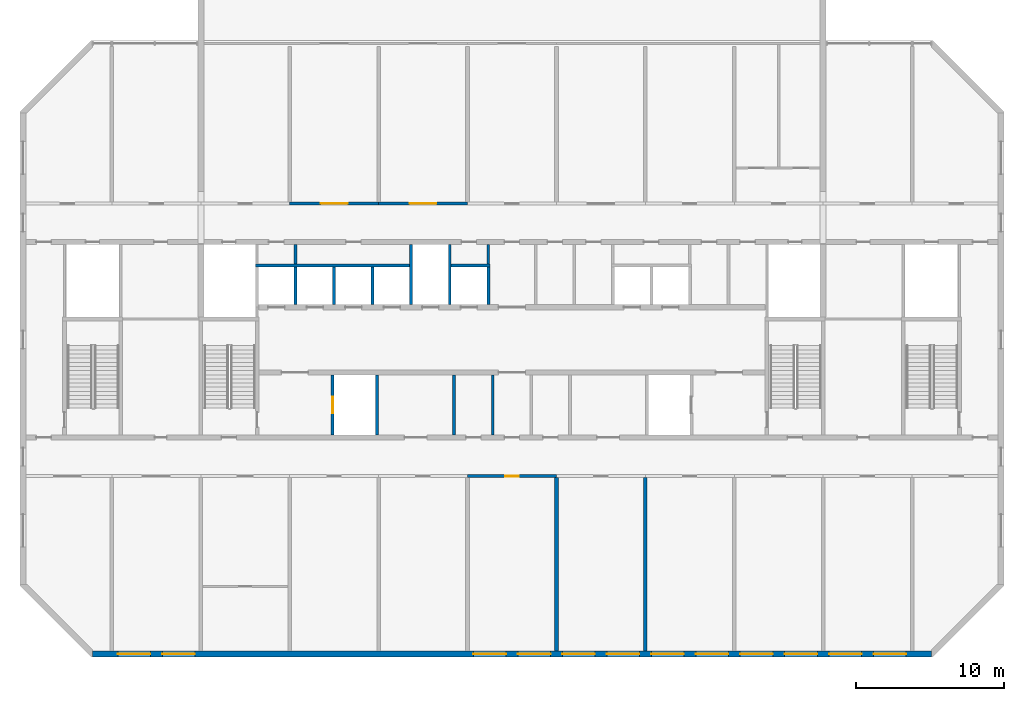
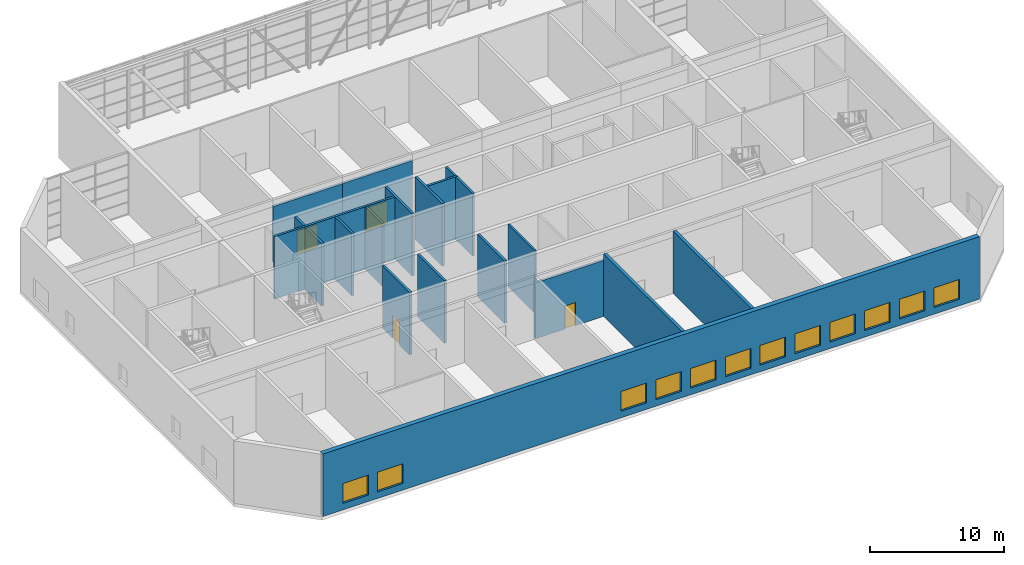
# One storey, part 11 of 17: 20 walls, 12 windows, 4 doors, 16 openings.
"""IFC4 building model written with IfcOpenShell, lengths in metres."""

from ifc_helpers import new_model, si_unit, direction, frame, frame_2d, origin, place, context, subcontext, project, spatial, rectangle, extrude, material, layer, layer_set, type_object, element, fill, save


model = new_model("IFC4")

# Units and contexts
model_context = context("Model", 3, precision=1e-05, world=origin(), true_north=direction((0.0, 1.0)))
body_context = subcontext(model_context, "Body", "Model", "MODEL_VIEW")
ifc_project = project(units=[si_unit("LENGTHUNIT", "METRE"), si_unit("AREAUNIT", "SQUARE_METRE"), si_unit("VOLUMEUNIT", "CUBIC_METRE"), si_unit("PLANEANGLEUNIT", "RADIAN"), si_unit("MASSUNIT", "GRAM", prefix="KILO")], contexts=[model_context])

# Site, building, storey
site_placement = place(None, origin())
site = spatial("IfcSite", under=ifc_project, at=site_placement, CompositionType="ELEMENT")
building_placement = place(site_placement, origin())
building = spatial("IfcBuilding", under=site, at=building_placement, Name="Poui Terraces", CompositionType="ELEMENT")
storey_placement = place(building_placement, frame((0.0, 0.0, 261.0)))
storey = spatial("IfcBuildingStorey", under=building, at=storey_placement, Name="L73", CompositionType="ELEMENT", Elevation=261.0)

# Walls
ifc_material_1 = material(Name="Fire-rated plasterboard wall")
ifc_layer_1 = layer(ifc_material_1, 0.14990234375)
ifc_layer_set_1 = layer_set([ifc_layer_1], Name="Fire-rated plasterboard wall")
wall_type_1 = type_object("IfcWallType", Name="CORRIDOR WALL 150", PredefinedType="PARTITIONING", material=ifc_layer_set_1)
wall_1_placement = place(storey_placement, frame((49.39990234375, 26.300048828125, 0.0), z_axis=(0.0, 0.0, 1.0), x_axis=(0.0, 1.0, 0.0)))
element("IfcWall", 1, at=wall_1_placement, inside=storey, type_object=wall_type_1, Name="CORRIDOR WALL 150", PredefinedType="PARTITIONING", context=body_context, shape_type="SweptSolid", body=[
    extrude(rectangle(XDim=1.31494140625, YDim=0.14990234375, at=frame_2d((0.657470703125, 0.0))), origin(), (0.0, 0.0, 1.0), 5.699951171875),
])
wall_2_placement = place(storey_placement, frame((49.699951171875, 14.784912109375, 0.0), z_axis=(0.0, 0.0, 1.0), x_axis=(0.0, 1.0, 0.0)))
element("IfcWall", 2, at=wall_2_placement, inside=storey, type_object=wall_type_1, Name="CORRIDOR WALL 150", PredefinedType="PARTITIONING", context=body_context, shape_type="SweptSolid", body=[
    extrude(rectangle(XDim=4.030029296875, YDim=0.14990234375, at=frame_2d((2.01513671875, 0.0))), origin(), (0.0, 0.0, 1.0), 5.699951171875),
])

# Wall, opening, door
ifc_material_2 = material(Name="Concrete 50 MPa", Category="concrete")
ifc_layer_2 = layer(ifc_material_2, 0.199951171875)
ifc_layer_set_2 = layer_set([ifc_layer_2], Name="Concrete 50 MPa")
wall_type_2 = type_object("IfcWallType", Name="CORRIDOR WALL 200 50MPa", PredefinedType="SHEAR", material=ifc_layer_set_2)
wall_3_placement = place(storey_placement, frame((48.0, 12.0, 0.0), z_axis=(0.0, 0.0, 1.0), x_axis=(1.0, 0.0, 0.0)))
wall_3 = element("IfcWall", 3, at=wall_3_placement, inside=storey, type_object=wall_type_2, Name="CORRIDOR WALL LINE B BAY 6", PredefinedType="SHEAR", context=body_context, shape_type="SweptSolid", body=[
    extrude(rectangle(XDim=6.0, YDim=0.199951171875, at=frame_2d((3.0, 0.0))), origin(), (0.0, 0.0, 1.0), 5.10009765625),
])
opening_1_placement = place(wall_3_placement, frame((2.550048828125, 0.0, 0.0)))
opening_1 = element("IfcOpeningElement", 4, at=opening_1_placement, cuts=wall_3, Name="Opening D90", PredefinedType="OPENING", context=body_context, shape_type="SweptSolid", body=[
    extrude(rectangle(XDim=0.89990234375, YDim=2.10009765625, at=frame_2d((0.449951171875, 1.050048828125))), frame((0.0, 0.10986328125, 0.0), z_axis=(0.0, -1.0, 0.0), x_axis=(1.0, 0.0, 0.0)), (0.0, 0.0, 1.0), 0.219970703125),
])
ifc_material_3 = material(Name="Solid core timber door", Category="wood")
door_type_1 = type_object("IfcDoorType", Name="INTERNAL DOOR 900 X 2100", OperationType="NOTDEFINED", PredefinedType="DOOR", material=ifc_material_3)
door_1_placement = place(opening_1_placement, origin())
door_1 = element("IfcDoor", 5, at=door_1_placement, inside=storey, type_object=door_type_1, Name="INTERNAL DOOR 039", OperationType="SINGLE_SWING_LEFT", OverallHeight=2.10009765625, OverallWidth=0.89990234375, PredefinedType="DOOR", context=body_context, shape_type="SweptSolid", body=[
    extrude(rectangle(XDim=0.89990234375, YDim=2.10009765625, at=frame_2d((0.449951171875, 1.050048828125))), frame((0.0, 0.02490234375, 0.0), z_axis=(0.0, -1.0, 0.0), x_axis=(1.0, 0.0, 0.0)), (0.0, 0.0, 1.0), 0.050048828125),
])
fill(opening_1, door_1)

wall_4_placement = place(storey_placement, frame((36.0, 30.39990234375, 0.0), z_axis=(0.0, 0.0, 1.0), x_axis=(1.0, 0.0, 0.0)))
wall_4 = element("IfcWall", 6, at=wall_4_placement, inside=storey, type_object=wall_type_2, Name="CORRIDOR WALL LINE E BAY 4", PredefinedType="SHEAR", context=body_context, shape_type="SweptSolid", body=[
    extrude(rectangle(XDim=6.0, YDim=0.199951171875, at=frame_2d((3.0, 0.0))), origin(), (0.0, 0.0, 1.0), 5.10009765625),
])
opening_2_placement = place(wall_4_placement, frame((2.10009765625, 0.0, 0.0)))
opening_2 = element("IfcOpeningElement", 7, at=opening_2_placement, cuts=wall_4, Name="Opening DD180", PredefinedType="OPENING", context=body_context, shape_type="SweptSolid", body=[
    extrude(rectangle(XDim=1.800048828125, YDim=2.10009765625, at=frame_2d((0.89990234375, 1.050048828125))), frame((0.0, 0.10986328125, 0.0), z_axis=(0.0, -1.0, 0.0), x_axis=(1.0, 0.0, 0.0)), (0.0, 0.0, 1.0), 0.219970703125),
])
ifc_material_4 = material(Name="Steel fire door", Category="steel")
door_type_2 = type_object("IfcDoorType", Name="DOUBLE INTERNAL DOOR 1800 X 2100", OperationType="DOUBLE_DOOR_SINGLE_SWING", PredefinedType="DOOR", material=ifc_material_4)
door_2_placement = place(opening_2_placement, frame((1.800048828125, 0.0, 0.0), z_axis=(0.0, 0.0, 1.0), x_axis=(-1.0, 0.0, 0.0)))
door_2 = element("IfcDoor", 8, at=door_2_placement, inside=storey, type_object=door_type_2, Name="DOUBLE INTERNAL DOOR 009", OperationType="DOUBLE_DOOR_SINGLE_SWING", OverallHeight=2.10009765625, OverallWidth=1.800048828125, PredefinedType="DOOR", context=body_context, shape_type="SweptSolid", body=[
    extrude(rectangle(XDim=1.800048828125, YDim=2.10009765625, at=frame_2d((0.89990234375, 1.050048828125))), frame((0.0, 0.02490234375, 0.0), z_axis=(0.0, -1.0, 0.0), x_axis=(1.0, 0.0, 0.0)), (0.0, 0.0, 1.0), 0.050048828125),
])
fill(opening_2, door_2)

wall_5_placement = place(storey_placement, frame((42.0, 30.39990234375, 0.0), z_axis=(0.0, 0.0, 1.0), x_axis=(1.0, 0.0, 0.0)))
wall_5 = element("IfcWall", 9, at=wall_5_placement, inside=storey, type_object=wall_type_2, Name="CORRIDOR WALL LINE E BAY 5", PredefinedType="SHEAR", context=body_context, shape_type="SweptSolid", body=[
    extrude(rectangle(XDim=6.0, YDim=0.199951171875, at=frame_2d((3.0, 0.0))), origin(), (0.0, 0.0, 1.0), 5.10009765625),
])
opening_3_placement = place(wall_5_placement, frame((2.10009765625, 0.0, 0.0)))
opening_3 = element("IfcOpeningElement", 10, at=opening_3_placement, cuts=wall_5, Name="Opening DD180", PredefinedType="OPENING", context=body_context, shape_type="SweptSolid", body=[
    extrude(rectangle(XDim=1.800048828125, YDim=2.10009765625, at=frame_2d((0.89990234375, 1.050048828125))), frame((0.0, 0.10986328125, 0.0), z_axis=(0.0, -1.0, 0.0), x_axis=(1.0, 0.0, 0.0)), (0.0, 0.0, 1.0), 0.219970703125),
])
door_3_placement = place(opening_3_placement, frame((1.800048828125, 0.0, 0.0), z_axis=(0.0, 0.0, 1.0), x_axis=(-1.0, 0.0, 0.0)))
door_3 = element("IfcDoor", 11, at=door_3_placement, inside=storey, type_object=door_type_2, Name="DOUBLE INTERNAL DOOR 011", OperationType="DOUBLE_DOOR_SINGLE_SWING", OverallHeight=2.10009765625, OverallWidth=1.800048828125, PredefinedType="DOOR", context=body_context, shape_type="SweptSolid", body=[
    extrude(rectangle(XDim=1.800048828125, YDim=2.10009765625, at=frame_2d((0.89990234375, 1.050048828125))), frame((0.0, 0.02490234375, 0.0), z_axis=(0.0, -1.0, 0.0), x_axis=(1.0, 0.0, 0.0)), (0.0, 0.0, 1.0), 0.050048828125),
])
fill(opening_3, door_3)

# Walls
ifc_layer_3 = layer(ifc_material_2, 0.25)
ifc_layer_set_3 = layer_set([ifc_layer_3], Name="Concrete 50 MPa")
wall_type_3 = type_object("IfcWallType", Name="CROSS WALL 250 50MPa", PredefinedType="SHEAR", material=ifc_layer_set_3)
for number, where, z_axis, x_axis, name in (
    (12, (54.0, 0.199951171875, 0.0), (0.0, 0.0, 1.0), (0.0, 1.0, 0.0), "CROSS WALL LINE 10 SOUTH"),
    (13, (60.0, 0.199951171875, 0.0), (0.0, 0.0, 1.0), (0.0, 1.0, 0.0), "CROSS WALL LINE 11 SOUTH"),
):
    element("IfcWall", number, at=place(storey_placement, frame(where, z_axis=z_axis, x_axis=x_axis)), inside=storey, type_object=wall_type_3, Name=name, PredefinedType="SHEAR", context=body_context, shape_type="SweptSolid", body=[
        extrude(rectangle(XDim=11.699951171875, YDim=0.25, at=frame_2d((5.85009765625, 0.0))), origin(), (0.0, 0.0, 1.0), 5.699951171875),
    ])

# Wall, openings, windows
ifc_material_5 = material(Name="Precast concrete 40 MPa", Category="concrete")
ifc_layer_4 = layer(ifc_material_5, 0.39990234375)
ifc_layer_set_4 = layer_set([ifc_layer_4], Name="Precast concrete 40 MPa")
wall_type_4 = type_object("IfcWallType", Name="EXTERNAL WALL 400", PredefinedType="STANDARD", material=ifc_layer_set_4)
wall_6_placement = place(storey_placement, frame((22.682861328125, 0.0, 0.0), z_axis=(0.0, 0.0, 1.0), x_axis=(1.0, 0.0, 0.0)))
wall_6 = element("IfcWall", 14, at=wall_6_placement, inside=storey, type_object=wall_type_4, Name="EXTERNAL WALL S", PredefinedType="STANDARD", context=body_context, shape_type="SweptSolid", body=[
    extrude(rectangle(XDim=56.63427734375, YDim=0.39990234375, at=frame_2d((28.317138671875, 0.0))), origin(), (0.0, 0.0, 1.0), 5.699951171875),
])
opening_4_placement = place(wall_6_placement, frame((1.71728515625, 0.0, 0.60009765625)))
opening_4 = element("IfcOpeningElement", 15, at=opening_4_placement, cuts=wall_6, Name="Opening W3", PredefinedType="OPENING", context=body_context, shape_type="SweptSolid", body=[
    extrude(rectangle(XDim=2.199951171875, YDim=1.800048828125, at=frame_2d((1.10009765625, 0.89990234375))), frame((0.0, 0.2099609375, 0.0), z_axis=(0.0, -1.0, 0.0), x_axis=(1.0, 0.0, 0.0)), (0.0, 0.0, 1.0), 0.419921875),
])
opening_5_placement = place(wall_6_placement, frame((4.71728515625, 0.0, 0.60009765625)))
opening_5 = element("IfcOpeningElement", 16, at=opening_5_placement, cuts=wall_6, Name="Opening W3", PredefinedType="OPENING", context=body_context, shape_type="SweptSolid", body=[
    extrude(rectangle(XDim=2.199951171875, YDim=1.800048828125, at=frame_2d((1.10009765625, 0.89990234375))), frame((0.0, 0.2099609375, 0.0), z_axis=(0.0, -1.0, 0.0), x_axis=(1.0, 0.0, 0.0)), (0.0, 0.0, 1.0), 0.419921875),
])
opening_6_placement = place(wall_6_placement, frame((25.71728515625, 0.0, 0.60009765625)))
opening_6 = element("IfcOpeningElement", 17, at=opening_6_placement, cuts=wall_6, Name="Opening W3", PredefinedType="OPENING", context=body_context, shape_type="SweptSolid", body=[
    extrude(rectangle(XDim=2.199951171875, YDim=1.800048828125, at=frame_2d((1.10009765625, 0.89990234375))), frame((0.0, 0.2099609375, 0.0), z_axis=(0.0, -1.0, 0.0), x_axis=(1.0, 0.0, 0.0)), (0.0, 0.0, 1.0), 0.419921875),
])
opening_7_placement = place(wall_6_placement, frame((28.71728515625, 0.0, 0.60009765625)))
opening_7 = element("IfcOpeningElement", 18, at=opening_7_placement, cuts=wall_6, Name="Opening W3", PredefinedType="OPENING", context=body_context, shape_type="SweptSolid", body=[
    extrude(rectangle(XDim=2.199951171875, YDim=1.800048828125, at=frame_2d((1.10009765625, 0.89990234375))), frame((0.0, 0.2099609375, 0.0), z_axis=(0.0, -1.0, 0.0), x_axis=(1.0, 0.0, 0.0)), (0.0, 0.0, 1.0), 0.419921875),
])
opening_8_placement = place(wall_6_placement, frame((31.71728515625, 0.0, 0.60009765625)))
opening_8 = element("IfcOpeningElement", 19, at=opening_8_placement, cuts=wall_6, Name="Opening W3", PredefinedType="OPENING", context=body_context, shape_type="SweptSolid", body=[
    extrude(rectangle(XDim=2.199951171875, YDim=1.800048828125, at=frame_2d((1.10009765625, 0.89990234375))), frame((0.0, 0.2099609375, 0.0), z_axis=(0.0, -1.0, 0.0), x_axis=(1.0, 0.0, 0.0)), (0.0, 0.0, 1.0), 0.419921875),
])
opening_9_placement = place(wall_6_placement, frame((34.71728515625, 0.0, 0.60009765625)))
opening_9 = element("IfcOpeningElement", 20, at=opening_9_placement, cuts=wall_6, Name="Opening W3", PredefinedType="OPENING", context=body_context, shape_type="SweptSolid", body=[
    extrude(rectangle(XDim=2.199951171875, YDim=1.800048828125, at=frame_2d((1.10009765625, 0.89990234375))), frame((0.0, 0.2099609375, 0.0), z_axis=(0.0, -1.0, 0.0), x_axis=(1.0, 0.0, 0.0)), (0.0, 0.0, 1.0), 0.419921875),
])
opening_10_placement = place(wall_6_placement, frame((37.71728515625, 0.0, 0.60009765625)))
opening_10 = element("IfcOpeningElement", 21, at=opening_10_placement, cuts=wall_6, Name="Opening W3", PredefinedType="OPENING", context=body_context, shape_type="SweptSolid", body=[
    extrude(rectangle(XDim=2.199951171875, YDim=1.800048828125, at=frame_2d((1.10009765625, 0.89990234375))), frame((0.0, 0.2099609375, 0.0), z_axis=(0.0, -1.0, 0.0), x_axis=(1.0, 0.0, 0.0)), (0.0, 0.0, 1.0), 0.419921875),
])
opening_11_placement = place(wall_6_placement, frame((40.71728515625, 0.0, 0.60009765625)))
opening_11 = element("IfcOpeningElement", 22, at=opening_11_placement, cuts=wall_6, Name="Opening W3", PredefinedType="OPENING", context=body_context, shape_type="SweptSolid", body=[
    extrude(rectangle(XDim=2.199951171875, YDim=1.800048828125, at=frame_2d((1.10009765625, 0.89990234375))), frame((0.0, 0.2099609375, 0.0), z_axis=(0.0, -1.0, 0.0), x_axis=(1.0, 0.0, 0.0)), (0.0, 0.0, 1.0), 0.419921875),
])
opening_12_placement = place(wall_6_placement, frame((43.71728515625, 0.0, 0.60009765625)))
opening_12 = element("IfcOpeningElement", 23, at=opening_12_placement, cuts=wall_6, Name="Opening W3", PredefinedType="OPENING", context=body_context, shape_type="SweptSolid", body=[
    extrude(rectangle(XDim=2.199951171875, YDim=1.800048828125, at=frame_2d((1.10009765625, 0.89990234375))), frame((0.0, 0.2099609375, 0.0), z_axis=(0.0, -1.0, 0.0), x_axis=(1.0, 0.0, 0.0)), (0.0, 0.0, 1.0), 0.419921875),
])
opening_13_placement = place(wall_6_placement, frame((46.71728515625, 0.0, 0.60009765625)))
opening_13 = element("IfcOpeningElement", 24, at=opening_13_placement, cuts=wall_6, Name="Opening W3", PredefinedType="OPENING", context=body_context, shape_type="SweptSolid", body=[
    extrude(rectangle(XDim=2.199951171875, YDim=1.800048828125, at=frame_2d((1.10009765625, 0.89990234375))), frame((0.0, 0.2099609375, 0.0), z_axis=(0.0, -1.0, 0.0), x_axis=(1.0, 0.0, 0.0)), (0.0, 0.0, 1.0), 0.419921875),
])
opening_14_placement = place(wall_6_placement, frame((49.71728515625, 0.0, 0.60009765625)))
opening_14 = element("IfcOpeningElement", 25, at=opening_14_placement, cuts=wall_6, Name="Opening W3", PredefinedType="OPENING", context=body_context, shape_type="SweptSolid", body=[
    extrude(rectangle(XDim=2.199951171875, YDim=1.800048828125, at=frame_2d((1.10009765625, 0.89990234375))), frame((0.0, 0.2099609375, 0.0), z_axis=(0.0, -1.0, 0.0), x_axis=(1.0, 0.0, 0.0)), (0.0, 0.0, 1.0), 0.419921875),
])
opening_15_placement = place(wall_6_placement, frame((52.71728515625, 0.0, 0.60009765625)))
opening_15 = element("IfcOpeningElement", 26, at=opening_15_placement, cuts=wall_6, Name="Opening W3", PredefinedType="OPENING", context=body_context, shape_type="SweptSolid", body=[
    extrude(rectangle(XDim=2.199951171875, YDim=1.800048828125, at=frame_2d((1.10009765625, 0.89990234375))), frame((0.0, 0.2099609375, 0.0), z_axis=(0.0, -1.0, 0.0), x_axis=(1.0, 0.0, 0.0)), (0.0, 0.0, 1.0), 0.419921875),
])
ifc_material_6 = material(Name="Clear glass in aluminium frame", Category="aluminium")
window_type = type_object("IfcWindowType", Name="WINDOW 2200X1800", PartitioningType="DOUBLE_PANEL_HORIZONTAL", PredefinedType="WINDOW", material=ifc_material_6)
window_1_placement = place(opening_4_placement, origin())
window_1 = element("IfcWindow", 27, at=window_1_placement, inside=storey, type_object=window_type, Name="W3 WINDOW", OverallHeight=1.800048828125, OverallWidth=2.199951171875, PartitioningType="DOUBLE_PANEL_HORIZONTAL", PredefinedType="WINDOW", context=body_context, shape_type="SweptSolid", body=[
    extrude(rectangle(XDim=2.199951171875, YDim=1.800048828125, at=frame_2d((1.10009765625, 0.89990234375))), frame((0.0, 0.030029296875, 0.0), z_axis=(0.0, -1.0, 0.0), x_axis=(1.0, 0.0, 0.0)), (0.0, 0.0, 1.0), 0.06005859375),
])
fill(opening_4, window_1)
window_2_placement = place(opening_5_placement, origin())
window_2 = element("IfcWindow", 28, at=window_2_placement, inside=storey, type_object=window_type, Name="W3 WINDOW", OverallHeight=1.800048828125, OverallWidth=2.199951171875, PartitioningType="DOUBLE_PANEL_HORIZONTAL", PredefinedType="WINDOW", context=body_context, shape_type="SweptSolid", body=[
    extrude(rectangle(XDim=2.199951171875, YDim=1.800048828125, at=frame_2d((1.10009765625, 0.89990234375))), frame((0.0, 0.030029296875, 0.0), z_axis=(0.0, -1.0, 0.0), x_axis=(1.0, 0.0, 0.0)), (0.0, 0.0, 1.0), 0.06005859375),
])
fill(opening_5, window_2)
window_3_placement = place(opening_6_placement, origin())
window_3 = element("IfcWindow", 29, at=window_3_placement, inside=storey, type_object=window_type, Name="W3 WINDOW", OverallHeight=1.800048828125, OverallWidth=2.199951171875, PartitioningType="DOUBLE_PANEL_HORIZONTAL", PredefinedType="WINDOW", context=body_context, shape_type="SweptSolid", body=[
    extrude(rectangle(XDim=2.199951171875, YDim=1.800048828125, at=frame_2d((1.10009765625, 0.89990234375))), frame((0.0, 0.030029296875, 0.0), z_axis=(0.0, -1.0, 0.0), x_axis=(1.0, 0.0, 0.0)), (0.0, 0.0, 1.0), 0.06005859375),
])
fill(opening_6, window_3)
window_4_placement = place(opening_7_placement, origin())
window_4 = element("IfcWindow", 30, at=window_4_placement, inside=storey, type_object=window_type, Name="W3 WINDOW", OverallHeight=1.800048828125, OverallWidth=2.199951171875, PartitioningType="DOUBLE_PANEL_HORIZONTAL", PredefinedType="WINDOW", context=body_context, shape_type="SweptSolid", body=[
    extrude(rectangle(XDim=2.199951171875, YDim=1.800048828125, at=frame_2d((1.10009765625, 0.89990234375))), frame((0.0, 0.030029296875, 0.0), z_axis=(0.0, -1.0, 0.0), x_axis=(1.0, 0.0, 0.0)), (0.0, 0.0, 1.0), 0.06005859375),
])
fill(opening_7, window_4)
window_5_placement = place(opening_8_placement, origin())
window_5 = element("IfcWindow", 31, at=window_5_placement, inside=storey, type_object=window_type, Name="W3 WINDOW", OverallHeight=1.800048828125, OverallWidth=2.199951171875, PartitioningType="DOUBLE_PANEL_HORIZONTAL", PredefinedType="WINDOW", context=body_context, shape_type="SweptSolid", body=[
    extrude(rectangle(XDim=2.199951171875, YDim=1.800048828125, at=frame_2d((1.10009765625, 0.89990234375))), frame((0.0, 0.030029296875, 0.0), z_axis=(0.0, -1.0, 0.0), x_axis=(1.0, 0.0, 0.0)), (0.0, 0.0, 1.0), 0.06005859375),
])
fill(opening_8, window_5)
window_6_placement = place(opening_9_placement, origin())
window_6 = element("IfcWindow", 32, at=window_6_placement, inside=storey, type_object=window_type, Name="W3 WINDOW", OverallHeight=1.800048828125, OverallWidth=2.199951171875, PartitioningType="DOUBLE_PANEL_HORIZONTAL", PredefinedType="WINDOW", context=body_context, shape_type="SweptSolid", body=[
    extrude(rectangle(XDim=2.199951171875, YDim=1.800048828125, at=frame_2d((1.10009765625, 0.89990234375))), frame((0.0, 0.030029296875, 0.0), z_axis=(0.0, -1.0, 0.0), x_axis=(1.0, 0.0, 0.0)), (0.0, 0.0, 1.0), 0.06005859375),
])
fill(opening_9, window_6)
window_7_placement = place(opening_10_placement, origin())
window_7 = element("IfcWindow", 33, at=window_7_placement, inside=storey, type_object=window_type, Name="W3 WINDOW", OverallHeight=1.800048828125, OverallWidth=2.199951171875, PartitioningType="DOUBLE_PANEL_HORIZONTAL", PredefinedType="WINDOW", context=body_context, shape_type="SweptSolid", body=[
    extrude(rectangle(XDim=2.199951171875, YDim=1.800048828125, at=frame_2d((1.10009765625, 0.89990234375))), frame((0.0, 0.030029296875, 0.0), z_axis=(0.0, -1.0, 0.0), x_axis=(1.0, 0.0, 0.0)), (0.0, 0.0, 1.0), 0.06005859375),
])
fill(opening_10, window_7)
window_8_placement = place(opening_11_placement, origin())
window_8 = element("IfcWindow", 34, at=window_8_placement, inside=storey, type_object=window_type, Name="W3 WINDOW", OverallHeight=1.800048828125, OverallWidth=2.199951171875, PartitioningType="DOUBLE_PANEL_HORIZONTAL", PredefinedType="WINDOW", context=body_context, shape_type="SweptSolid", body=[
    extrude(rectangle(XDim=2.199951171875, YDim=1.800048828125, at=frame_2d((1.10009765625, 0.89990234375))), frame((0.0, 0.030029296875, 0.0), z_axis=(0.0, -1.0, 0.0), x_axis=(1.0, 0.0, 0.0)), (0.0, 0.0, 1.0), 0.06005859375),
])
fill(opening_11, window_8)
window_9_placement = place(opening_12_placement, origin())
window_9 = element("IfcWindow", 35, at=window_9_placement, inside=storey, type_object=window_type, Name="W3 WINDOW", OverallHeight=1.800048828125, OverallWidth=2.199951171875, PartitioningType="DOUBLE_PANEL_HORIZONTAL", PredefinedType="WINDOW", context=body_context, shape_type="SweptSolid", body=[
    extrude(rectangle(XDim=2.199951171875, YDim=1.800048828125, at=frame_2d((1.10009765625, 0.89990234375))), frame((0.0, 0.030029296875, 0.0), z_axis=(0.0, -1.0, 0.0), x_axis=(1.0, 0.0, 0.0)), (0.0, 0.0, 1.0), 0.06005859375),
])
fill(opening_12, window_9)
window_10_placement = place(opening_13_placement, origin())
window_10 = element("IfcWindow", 36, at=window_10_placement, inside=storey, type_object=window_type, Name="W3 WINDOW", OverallHeight=1.800048828125, OverallWidth=2.199951171875, PartitioningType="DOUBLE_PANEL_HORIZONTAL", PredefinedType="WINDOW", context=body_context, shape_type="SweptSolid", body=[
    extrude(rectangle(XDim=2.199951171875, YDim=1.800048828125, at=frame_2d((1.10009765625, 0.89990234375))), frame((0.0, 0.030029296875, 0.0), z_axis=(0.0, -1.0, 0.0), x_axis=(1.0, 0.0, 0.0)), (0.0, 0.0, 1.0), 0.06005859375),
])
fill(opening_13, window_10)
window_11_placement = place(opening_14_placement, origin())
window_11 = element("IfcWindow", 37, at=window_11_placement, inside=storey, type_object=window_type, Name="W3 WINDOW", OverallHeight=1.800048828125, OverallWidth=2.199951171875, PartitioningType="DOUBLE_PANEL_HORIZONTAL", PredefinedType="WINDOW", context=body_context, shape_type="SweptSolid", body=[
    extrude(rectangle(XDim=2.199951171875, YDim=1.800048828125, at=frame_2d((1.10009765625, 0.89990234375))), frame((0.0, 0.030029296875, 0.0), z_axis=(0.0, -1.0, 0.0), x_axis=(1.0, 0.0, 0.0)), (0.0, 0.0, 1.0), 0.06005859375),
])
fill(opening_14, window_11)
window_12_placement = place(opening_15_placement, origin())
window_12 = element("IfcWindow", 38, at=window_12_placement, inside=storey, type_object=window_type, Name="W3 WINDOW", OverallHeight=1.800048828125, OverallWidth=2.199951171875, PartitioningType="DOUBLE_PANEL_HORIZONTAL", PredefinedType="WINDOW", context=body_context, shape_type="SweptSolid", body=[
    extrude(rectangle(XDim=2.199951171875, YDim=1.800048828125, at=frame_2d((1.10009765625, 0.89990234375))), frame((0.0, 0.030029296875, 0.0), z_axis=(0.0, -1.0, 0.0), x_axis=(1.0, 0.0, 0.0)), (0.0, 0.0, 1.0), 0.06005859375),
])
fill(opening_15, window_12)

# Walls
ifc_material_7 = material(Name="Fire-rated masonry wall", Category="masonry")
ifc_layer_5 = layer(ifc_material_7, 0.199951171875)
ifc_layer_set_5 = layer_set([ifc_layer_5], Name="Fire-rated masonry wall")
wall_type_5 = type_object("IfcWallType", Name="PLANT ROOM WALL 200", PredefinedType="PARTITIONING", material=ifc_layer_set_5)
wall_7_placement = place(storey_placement, frame((36.39990234375, 26.300048828125, 0.0), z_axis=(0.0, 0.0, 1.0), x_axis=(0.0, 1.0, 0.0)))
element("IfcWall", 39, at=wall_7_placement, inside=storey, type_object=wall_type_5, Name="PLANT ROOM WALL 200", PredefinedType="PARTITIONING", context=body_context, shape_type="SweptSolid", body=[
    extrude(rectangle(XDim=1.31494140625, YDim=0.199951171875, at=frame_2d((0.657470703125, 0.0))), origin(), (0.0, 0.0, 1.0), 5.699951171875),
])
wall_8_placement = place(storey_placement, frame((47.10009765625, 14.784912109375, 0.0), z_axis=(0.0, 0.0, 1.0), x_axis=(0.0, 1.0, 0.0)))
element("IfcWall", 40, at=wall_8_placement, inside=storey, type_object=wall_type_5, Name="PLANT ROOM WALL 200", PredefinedType="PARTITIONING", context=body_context, shape_type="SweptSolid", body=[
    extrude(rectangle(XDim=4.030029296875, YDim=0.199951171875, at=frame_2d((2.01513671875, 0.0))), origin(), (0.0, 0.0, 1.0), 5.699951171875),
])
ifc_material_8 = material(Name="Fire-rated masonry shaft wall", Category="masonry")
ifc_layer_6 = layer(ifc_material_8, 0.199951171875)
ifc_layer_set_6 = layer_set([ifc_layer_6], Name="Fire-rated masonry shaft wall")
wall_type_6 = type_object("IfcWallType", Name="SHAFT WALL 200", PredefinedType="PARTITIONING", material=ifc_layer_set_6)
wall_9_placement = place(storey_placement, frame((33.699951171875, 26.199951171875, 0.0), z_axis=(0.0, 0.0, 1.0), x_axis=(1.0, 0.0, 0.0)))
element("IfcWall", 41, at=wall_9_placement, inside=storey, type_object=wall_type_6, Name="SHAFT WALL 200", PredefinedType="PARTITIONING", context=body_context, shape_type="SweptSolid", body=[
    extrude(rectangle(XDim=10.400146484375, YDim=0.199951171875, at=frame_2d((5.2001953125, 0.0))), origin(), (0.0, 0.0, 1.0), 5.699951171875),
])
wall_10_placement = place(storey_placement, frame((46.89990234375, 26.199951171875, 0.0), z_axis=(0.0, 0.0, 1.0), x_axis=(1.0, 0.0, 0.0)))
element("IfcWall", 42, at=wall_10_placement, inside=storey, type_object=wall_type_6, Name="SHAFT WALL 200", PredefinedType="PARTITIONING", context=body_context, shape_type="SweptSolid", body=[
    extrude(rectangle(XDim=2.60009765625, YDim=0.199951171875, at=frame_2d((1.300048828125, 0.0))), origin(), (0.0, 0.0, 1.0), 5.699951171875),
])
wall_11_placement = place(storey_placement, frame((36.39990234375, 23.5849609375, 0.0), z_axis=(0.0, 0.0, 1.0), x_axis=(0.0, 1.0, 0.0)))
element("IfcWall", 43, at=wall_11_placement, inside=storey, type_object=wall_type_6, Name="SHAFT WALL 200", PredefinedType="PARTITIONING", context=body_context, shape_type="SweptSolid", body=[
    extrude(rectangle(XDim=2.51513671875, YDim=0.199951171875, at=frame_2d((1.257568359375, 0.0))), origin(), (0.0, 0.0, 1.0), 5.699951171875),
])

# Wall, opening, door
wall_12_placement = place(storey_placement, frame((38.89990234375, 14.784912109375, 0.0), z_axis=(0.0, 0.0, 1.0), x_axis=(0.0, 1.0, 0.0)))
wall_12 = element("IfcWall", 44, at=wall_12_placement, inside=storey, type_object=wall_type_6, Name="SHAFT WALL 200", PredefinedType="PARTITIONING", context=body_context, shape_type="SweptSolid", body=[
    extrude(rectangle(XDim=4.030029296875, YDim=0.199951171875, at=frame_2d((2.01513671875, 0.0))), origin(), (0.0, 0.0, 1.0), 5.699951171875),
])
opening_16_placement = place(wall_12_placement, frame((1.465087890625, 0.0, 0.0)))
opening_16 = element("IfcOpeningElement", 45, at=opening_16_placement, cuts=wall_12, Name="Opening LD", PredefinedType="OPENING", context=body_context, shape_type="SweptSolid", body=[
    extrude(rectangle(XDim=1.10009765625, YDim=2.10009765625, at=frame_2d((0.550048828125, 1.050048828125))), frame((0.0, 0.10986328125, 0.0), z_axis=(0.0, -1.0, 0.0), x_axis=(1.0, 0.0, 0.0)), (0.0, 0.0, 1.0), 0.219970703125),
])
ifc_material_9 = material(Name="Stainless steel sliding door", Category="steel")
door_type_3 = type_object("IfcDoorType", Name="LIFT LANDING DOOR 1100 X 2100", OperationType="DOUBLE_DOOR_SLIDING", PredefinedType="DOOR", material=ifc_material_9)
door_4_placement = place(opening_16_placement, origin())
door_4 = element("IfcDoor", 46, at=door_4_placement, inside=storey, type_object=door_type_3, Name="LANDING DOOR", OperationType="DOUBLE_DOOR_SLIDING", OverallHeight=2.10009765625, OverallWidth=1.10009765625, PredefinedType="DOOR", context=body_context, shape_type="SweptSolid", body=[
    extrude(rectangle(XDim=1.10009765625, YDim=2.10009765625, at=frame_2d((0.550048828125, 1.050048828125))), frame((0.0, 0.02490234375, 0.0), z_axis=(0.0, -1.0, 0.0), x_axis=(1.0, 0.0, 0.0)), (0.0, 0.0, 1.0), 0.050048828125),
])
fill(opening_16, door_4)

# Walls
for number, where, z_axis, x_axis, name in (
    (47, (39.0, 23.5849609375, 0.0), (0.0, 0.0, 1.0), (0.0, 1.0, 0.0), "SHAFT WALL 200"),
    (48, (41.60009765625, 23.5849609375, 0.0), (0.0, 0.0, 1.0), (0.0, 1.0, 0.0), "SHAFT WALL 200"),
):
    element("IfcWall", number, at=place(storey_placement, frame(where, z_axis=z_axis, x_axis=x_axis)), inside=storey, type_object=wall_type_6, Name=name, PredefinedType="PARTITIONING", context=body_context, shape_type="SweptSolid", body=[
        extrude(rectangle(XDim=2.51513671875, YDim=0.199951171875, at=frame_2d((1.257568359375, 0.0))), origin(), (0.0, 0.0, 1.0), 5.699951171875),
    ])
for number, where, z_axis, x_axis, name in (
    (49, (41.89990234375, 14.784912109375, 0.0), (0.0, 0.0, 1.0), (0.0, 1.0, 0.0), "SHAFT WALL 200"),
    (50, (44.199951171875, 23.5849609375, 0.0), (0.0, 0.0, 1.0), (0.0, 1.0, 0.0), "SHAFT WALL 200"),
    (51, (46.800048828125, 23.5849609375, 0.0), (0.0, 0.0, 1.0), (0.0, 1.0, 0.0), "SHAFT WALL 200"),
):
    element("IfcWall", number, at=place(storey_placement, frame(where, z_axis=z_axis, x_axis=x_axis)), inside=storey, type_object=wall_type_6, Name=name, PredefinedType="PARTITIONING", context=body_context, shape_type="SweptSolid", body=[
        extrude(rectangle(XDim=4.030029296875, YDim=0.199951171875, at=frame_2d((2.01513671875, 0.0))), origin(), (0.0, 0.0, 1.0), 5.699951171875),
    ])
wall_13_placement = place(storey_placement, frame((49.39990234375, 23.5849609375, 0.0), z_axis=(0.0, 0.0, 1.0), x_axis=(0.0, 1.0, 0.0)))
element("IfcWall", 52, at=wall_13_placement, inside=storey, type_object=wall_type_6, Name="SHAFT WALL 200", PredefinedType="PARTITIONING", context=body_context, shape_type="SweptSolid", body=[
    extrude(rectangle(XDim=2.51513671875, YDim=0.199951171875, at=frame_2d((1.257568359375, 0.0))), origin(), (0.0, 0.0, 1.0), 5.699951171875),
])

save(model, "model.ifc")
